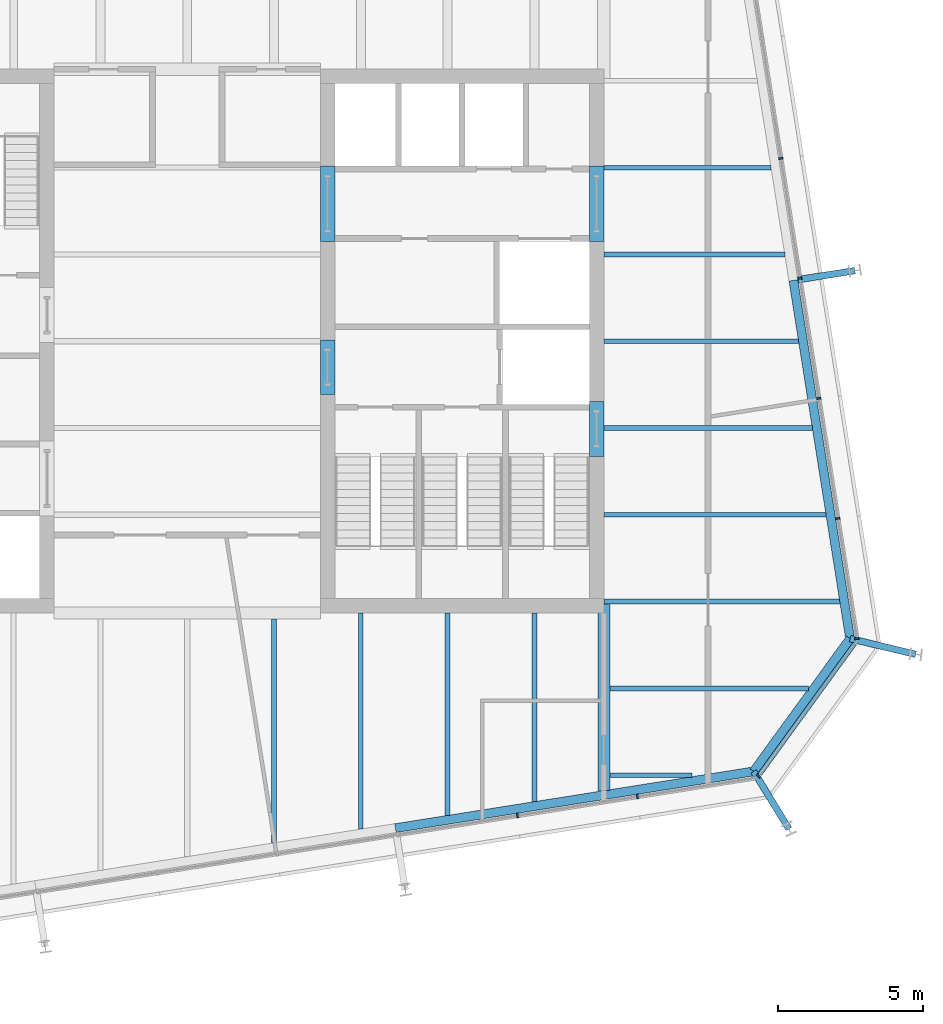
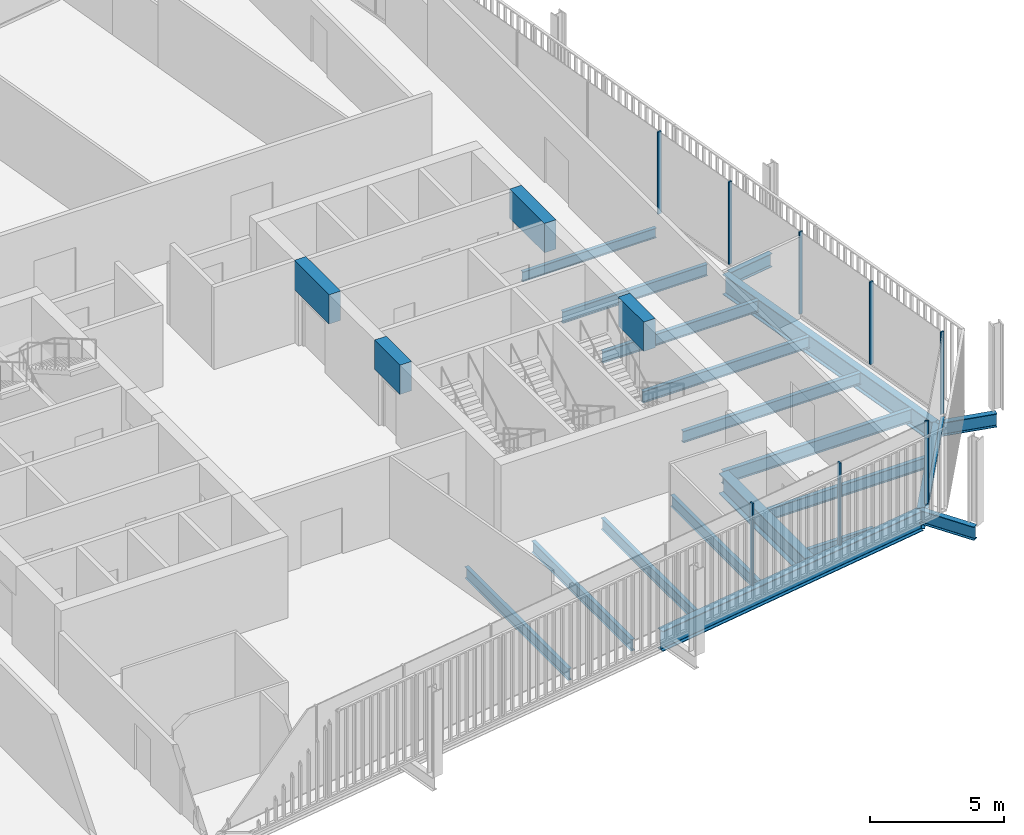
# One storey, part 8 of 20: 23 beams, 9 members, 3 elements without a shape of their own.
"""IFC4 building model written with IfcOpenShell, lengths in metres."""

from ifc_helpers import new_model, si_unit, direction, frame, origin, origin_2d, place, context, subcontext, project, spatial, rectangle, i_section, extrude, material, layer, layer_set, material_profile, profile_set, type_object, element, aggregate, save


model = new_model("IFC4")

# Units and contexts
model_context = context("Model", 3, precision=1e-05, world=origin(), true_north=direction((0.0, 1.0)))
body_context = subcontext(model_context, "Body", "Model", "MODEL_VIEW")
ifc_project = project(units=[si_unit("LENGTHUNIT", "METRE"), si_unit("AREAUNIT", "SQUARE_METRE"), si_unit("VOLUMEUNIT", "CUBIC_METRE"), si_unit("PLANEANGLEUNIT", "RADIAN"), si_unit("MASSUNIT", "GRAM", prefix="KILO")], contexts=[model_context])

# Site, building, storey
site_placement = place(None, origin())
site = spatial("IfcSite", under=ifc_project, at=site_placement, CompositionType="ELEMENT")
building_placement = place(site_placement, origin())
building = spatial("IfcBuilding", under=site, at=building_placement, Name="Millrace Tower", CompositionType="ELEMENT")
storey_placement = place(building_placement, frame((0.0, 0.0, 224.199951171875)))
storey = spatial("IfcBuildingStorey", under=building, at=storey_placement, Name="L51", CompositionType="ELEMENT", Elevation=224.199951171875)

# Curtain wall, members
ifc_material_1 = material(Name="Aluminium and glass", Category="aluminium")
ifc_layer = layer(ifc_material_1, 0.14990234375)
ifc_layer_set = layer_set([ifc_layer], Name="Aluminium and glass")
curtain_wall_type = type_object("IfcCurtainWallType", Name="CW-1 office vision curtain wall", PredefinedType="NOTDEFINED", material=ifc_layer_set)
placement = place(storey_placement, origin())
curtain_wall_1 = element("IfcCurtainWall", 1, at=placement, inside=storey, type_object=curtain_wall_type, Name="Curtain wall D-F02 L51", PredefinedType="NOTDEFINED")
ifc_material_2 = material(Name="Aluminium", Category="aluminium")
ifc_material_profile_1 = material_profile(ifc_material_2, rectangle(XDim=0.06494140625, YDim=0.14990234375, at=origin_2d()))
ifc_profile_set_1 = profile_set([ifc_material_profile_1], Name="Aluminium")
member_type_1 = type_object("IfcMemberType", Name="CW-1 office vision curtain wall mullion", PredefinedType="MULLION", material=ifc_profile_set_1)
member_1_placement = place(storey_placement, frame((11.41259765625, -16.393310546875, 0.14013671875), z_axis=(0.0, 0.0, 1.0), x_axis=(0.987688339511, 0.156434471884, 0.0)))
member_1 = element("IfcMember", 2, at=member_1_placement, type_object=member_type_1, Name="CW1 mullion D-F02.8", PredefinedType="MULLION", context=body_context, shape_type="SweptSolid", body=[
    extrude(rectangle(XDim=0.06494140625, YDim=0.14990234375, at=origin_2d()), origin(), (0.0, 0.0, 1.0), 3.760009765625),
])
member_2_placement = place(storey_placement, frame((15.560791015625, -15.736328125, 0.14013671875), z_axis=(0.0, 0.0, 1.0), x_axis=(0.987688339511, 0.156434471884, 0.0)))
member_2 = element("IfcMember", 3, at=member_2_placement, type_object=member_type_1, Name="CW1 mullion D-F02.9", PredefinedType="MULLION", context=body_context, shape_type="SweptSolid", body=[
    extrude(rectangle(XDim=0.06494140625, YDim=0.14990234375, at=origin_2d()), origin(), (0.0, 0.0, 1.0), 3.760009765625),
])
aggregate(curtain_wall_1, [member_1, member_2])

# Curtain wall, member
curtain_wall_2 = element("IfcCurtainWall", 4, at=placement, inside=storey, type_object=curtain_wall_type, Name="Curtain wall D-F03 L51", PredefinedType="NOTDEFINED")
member_3_placement = place(storey_placement, frame((19.7451171875, -15.028076171875, 0.14013671875), z_axis=(0.0, 0.0, 1.0), x_axis=(0.587785305991, 0.809016955361, 0.0)))
member_3 = element("IfcMember", 5, at=member_3_placement, type_object=member_type_1, Name="CW1 mullion D-F03.1", PredefinedType="MULLION", context=body_context, shape_type="SweptSolid", body=[
    extrude(rectangle(XDim=0.06494140625, YDim=0.14990234375, at=origin_2d()), origin(), (0.0, 0.0, 1.0), 3.760009765625),
])

# Curtain wall, members
curtain_wall_3 = element("IfcCurtainWall", 6, at=placement, inside=storey, type_object=curtain_wall_type, Name="Curtain wall D-F04 L51", PredefinedType="NOTDEFINED")
member_4_placement = place(storey_placement, frame((23.142333984375, -10.275390625, 0.14013671875), z_axis=(0.0, 0.0, 1.0), x_axis=(-0.156434471884, 0.987688339511, 0.0)))
member_4 = element("IfcMember", 7, at=member_4_placement, type_object=member_type_1, Name="CW1 mullion D-F04.1", PredefinedType="MULLION", context=body_context, shape_type="SweptSolid", body=[
    extrude(rectangle(XDim=0.06494140625, YDim=0.14990234375, at=origin_2d()), origin(), (0.0, 0.0, 1.0), 3.760009765625),
])
member_5_placement = place(storey_placement, frame((22.4853515625, -6.127197265625, 0.14013671875), z_axis=(0.0, 0.0, 1.0), x_axis=(-0.156434471884, 0.987688339511, 0.0)))
member_5 = element("IfcMember", 8, at=member_5_placement, type_object=member_type_1, Name="CW1 mullion D-F04.2", PredefinedType="MULLION", context=body_context, shape_type="SweptSolid", body=[
    extrude(rectangle(XDim=0.06494140625, YDim=0.14990234375, at=origin_2d()), origin(), (0.0, 0.0, 1.0), 3.760009765625),
])
member_6_placement = place(storey_placement, frame((21.828369140625, -1.97900390625, 0.14013671875), z_axis=(0.0, 0.0, 1.0), x_axis=(-0.156434471884, 0.987688339511, 0.0)))
member_6 = element("IfcMember", 9, at=member_6_placement, type_object=member_type_1, Name="CW1 mullion D-F04.3", PredefinedType="MULLION", context=body_context, shape_type="SweptSolid", body=[
    extrude(rectangle(XDim=0.06494140625, YDim=0.14990234375, at=origin_2d()), origin(), (0.0, 0.0, 1.0), 3.760009765625),
])
member_7_placement = place(storey_placement, frame((21.17138671875, 2.16943359375, 0.14013671875), z_axis=(0.0, 0.0, 1.0), x_axis=(-0.156434471884, 0.987688339511, 0.0)))
member_7 = element("IfcMember", 10, at=member_7_placement, type_object=member_type_1, Name="CW1 mullion D-F04.4", PredefinedType="MULLION", context=body_context, shape_type="SweptSolid", body=[
    extrude(rectangle(XDim=0.06494140625, YDim=0.14990234375, at=origin_2d()), origin(), (0.0, 0.0, 1.0), 3.760009765625),
])
member_8_placement = place(storey_placement, frame((20.514404296875, 6.317626953125, 0.14013671875), z_axis=(0.0, 0.0, 1.0), x_axis=(-0.156434471884, 0.987688339511, 0.0)))
member_8 = element("IfcMember", 11, at=member_8_placement, type_object=member_type_1, Name="CW1 mullion D-F04.5", PredefinedType="MULLION", context=body_context, shape_type="SweptSolid", body=[
    extrude(rectangle(XDim=0.06494140625, YDim=0.14990234375, at=origin_2d()), origin(), (0.0, 0.0, 1.0), 3.760009765625),
])
aggregate(curtain_wall_3, [member_4, member_5, member_6, member_7, member_8])

# Member
ifc_material_3 = material(Name="Aluminium", Category="aluminium")
ifc_material_profile_2 = material_profile(ifc_material_3, rectangle(XDim=0.14990234375, YDim=0.139892578125, at=origin_2d()))
ifc_profile_set_2 = profile_set([ifc_material_profile_2], Name="Aluminium")
member_type_2 = type_object("IfcMemberType", Name="CW-1 office vision curtain wall transom", PredefinedType="USERDEFINED", material=ifc_profile_set_2)
member_9_placement = place(storey_placement, frame((19.78466796875, -14.973388671875, 0.070068359375), z_axis=(0.587811213399, 0.808998131891, 0.0), x_axis=(-0.808998131891, 0.587811213399, 0.0)))
member_9 = element("IfcMember", 12, at=member_9_placement, type_object=member_type_2, Name="CW1 transom D-F03.1", ObjectType="TRANSOM", PredefinedType="USERDEFINED", context=body_context, shape_type="SweptSolid", body=[
    extrude(rectangle(XDim=0.14990234375, YDim=0.139892578125, at=origin_2d()), origin(), (0.0, 0.0, 1.0), 5.598388671875),
])

aggregate(curtain_wall_2, [member_3, member_9])

# Beams
ifc_material_4 = material(Name="Concrete C60", Category="concrete")
ifc_material_profile_3 = material_profile(ifc_material_4, rectangle(XDim=0.5, YDim=1.340087890625, at=origin_2d()))
ifc_profile_set_3 = profile_set([ifc_material_profile_3], Name="Concrete C60")
beam_type_1 = type_object("IfcBeamType", Name="Coupling beam 500 x 1340 Concrete C60, 1300 opening", PredefinedType="BEAM", material=ifc_profile_set_3)
beam_1_placement = place(storey_placement, frame((14.14990234375, -2.080078125, 3.070068359375), z_axis=(0.0, -1.0, 0.0), x_axis=(1.0, 0.0, 0.0)))
element("IfcBeam", 13, at=beam_1_placement, inside=storey, type_object=beam_type_1, Name="Coupling beam E L51", PredefinedType="BEAM", context=body_context, shape_type="SweptSolid", body=[
    extrude(rectangle(XDim=0.5, YDim=1.340087890625, at=origin_2d()), origin(), (0.0, 0.0, 1.0), 1.89990234375),
])
beam_2_placement = place(storey_placement, frame((4.85009765625, 0.050048828125, 3.070068359375), z_axis=(0.0, -1.0, 0.0), x_axis=(1.0, 0.0, 0.0)))
element("IfcBeam", 14, at=beam_2_placement, inside=storey, type_object=beam_type_1, Name="Coupling beam E L51", PredefinedType="BEAM", context=body_context, shape_type="SweptSolid", body=[
    extrude(rectangle(XDim=0.5, YDim=1.340087890625, at=origin_2d()), origin(), (0.0, 0.0, 1.0), 1.900146484375),
])
ifc_material_5 = material(Name="Concrete C60", Category="concrete")
ifc_material_profile_4 = material_profile(ifc_material_5, rectangle(XDim=0.5, YDim=1.340087890625, at=origin_2d()))
ifc_profile_set_4 = profile_set([ifc_material_profile_4], Name="Concrete C60")
beam_type_2 = type_object("IfcBeamType", Name="Coupling beam 500 x 1340 Concrete C60, 2000 opening", PredefinedType="BEAM", material=ifc_profile_set_4)
for number, where, z_axis, x_axis, name in (
    (15, (14.14990234375, 6.050048828125, 3.070068359375), (0.0, -1.0, 0.0), (1.0, 0.0, 0.0), "Coupling beam E L51"),
    (16, (4.85009765625, 6.050048828125, 3.070068359375), (0.0, -1.0, 0.0), (1.0, 0.0, 0.0), "Coupling beam E L51"),
):
    element("IfcBeam", number, at=place(storey_placement, frame(where, z_axis=z_axis, x_axis=x_axis)), inside=storey, type_object=beam_type_2, Name=name, PredefinedType="BEAM", context=body_context, shape_type="SweptSolid", body=[
        extrude(rectangle(XDim=0.5, YDim=1.340087890625, at=origin_2d()), origin(), (0.0, 0.0, 1.0), 2.60009765625),
    ])
ifc_material_6 = material(Name="Steel ASTM A992 Grade 50", Category="steel")
ifc_material_profile_5 = material_profile(ifc_material_6, i_section(OverallWidth=0.15234375, OverallDepth=0.449462890625, WebThickness=0.007568359375, FlangeThickness=0.0107421875, FilletRadius=0.01025390625, at=origin_2d()))
ifc_profile_set_5 = profile_set([ifc_material_profile_5], Name="Steel ASTM A992 Grade 50")
beam_type_3 = type_object("IfcBeamType", Name="Floor beam W18x35", PredefinedType="JOIST", material=ifc_profile_set_5)
beam_3_placement = place(storey_placement, frame((14.39990234375, 6.0, -0.384765625), z_axis=(1.0, 0.0, 0.0), x_axis=(0.0, 1.0, 0.0)))
element("IfcBeam", 17, at=beam_3_placement, inside=storey, type_object=beam_type_3, Name="BM-D-L51-S1-S022", PredefinedType="JOIST", context=body_context, shape_type="SweptSolid", body=[
    extrude(i_section(OverallWidth=0.15234375, OverallDepth=0.449462890625, WebThickness=0.007568359375, FlangeThickness=0.0107421875, FilletRadius=0.01025390625, at=origin_2d()), origin(), (0.0, 0.0, 1.0), 5.777587890625),
])
beam_4_placement = place(storey_placement, frame((14.609619140625, -15.0, -0.384765625), z_axis=(1.0, 0.0, 0.0), x_axis=(0.0, 1.0, 0.0)))
element("IfcBeam", 18, at=beam_4_placement, inside=storey, type_object=beam_type_3, Name="BM-D-L51-S1-S003", PredefinedType="JOIST", context=body_context, shape_type="SweptSolid", body=[
    extrude(i_section(OverallWidth=0.15234375, OverallDepth=0.449462890625, WebThickness=0.007568359375, FlangeThickness=0.0107421875, FilletRadius=0.01025390625, at=origin_2d()), origin(), (0.0, 0.0, 1.0), 2.839599609375),
])
ifc_material_7 = material(Name="Steel ASTM A992 Grade 50", Category="steel")
ifc_material_profile_6 = material_profile(ifc_material_7, i_section(OverallWidth=0.1650390625, OverallDepth=0.52587890625, WebThickness=0.0087890625, FlangeThickness=0.011474609375, FilletRadius=0.0126953125, at=origin_2d()))
ifc_profile_set_6 = profile_set([ifc_material_profile_6], Name="Steel ASTM A992 Grade 50")
beam_type_4 = type_object("IfcBeamType", Name="Floor beam W21x44", PredefinedType="JOIST", material=ifc_profile_set_6)
beam_5_placement = place(storey_placement, frame((14.609619140625, -12.0, -0.4228515625), z_axis=(1.0, 0.0, 0.0), x_axis=(0.0, 1.0, 0.0)))
element("IfcBeam", 19, at=beam_5_placement, inside=storey, type_object=beam_type_4, Name="BM-D-L51-S1-S005", PredefinedType="JOIST", context=body_context, shape_type="SweptSolid", body=[
    extrude(i_section(OverallWidth=0.1650390625, OverallDepth=0.52587890625, WebThickness=0.0087890625, FlangeThickness=0.011474609375, FilletRadius=0.0126953125, at=origin_2d()), origin(), (0.0, 0.0, 1.0), 6.86279296875),
])
beam_6_placement = place(storey_placement, frame((14.39990234375, -6.0, -0.4228515625), z_axis=(1.0, 0.0, 0.0), x_axis=(0.0, 1.0, 0.0)))
element("IfcBeam", 20, at=beam_6_placement, inside=storey, type_object=beam_type_4, Name="BM-D-L51-S1-S010", PredefinedType="JOIST", context=body_context, shape_type="SweptSolid", body=[
    extrude(i_section(OverallWidth=0.1650390625, OverallDepth=0.52587890625, WebThickness=0.0087890625, FlangeThickness=0.011474609375, FilletRadius=0.0126953125, at=origin_2d()), origin(), (0.0, 0.0, 1.0), 7.67822265625),
])
beam_7_placement = place(storey_placement, frame((14.39990234375, -3.0, -0.4228515625), z_axis=(1.0, 0.0, 0.0), x_axis=(0.0, 1.0, 0.0)))
element("IfcBeam", 21, at=beam_7_placement, inside=storey, type_object=beam_type_4, Name="BM-D-L51-S1-S013", PredefinedType="JOIST", context=body_context, shape_type="SweptSolid", body=[
    extrude(i_section(OverallWidth=0.1650390625, OverallDepth=0.52587890625, WebThickness=0.0087890625, FlangeThickness=0.011474609375, FilletRadius=0.0126953125, at=origin_2d()), origin(), (0.0, 0.0, 1.0), 7.203125),
])
beam_8_placement = place(storey_placement, frame((14.39990234375, 0.0, -0.4228515625), z_axis=(1.0, 0.0, 0.0), x_axis=(0.0, 1.0, 0.0)))
element("IfcBeam", 22, at=beam_8_placement, inside=storey, type_object=beam_type_4, Name="BM-D-L51-S1-S016", PredefinedType="JOIST", context=body_context, shape_type="SweptSolid", body=[
    extrude(i_section(OverallWidth=0.1650390625, OverallDepth=0.52587890625, WebThickness=0.0087890625, FlangeThickness=0.011474609375, FilletRadius=0.0126953125, at=origin_2d()), origin(), (0.0, 0.0, 1.0), 6.72802734375),
])
beam_9_placement = place(storey_placement, frame((14.39990234375, 3.0, -0.4228515625), z_axis=(1.0, 0.0, 0.0), x_axis=(0.0, 1.0, 0.0)))
element("IfcBeam", 23, at=beam_9_placement, inside=storey, type_object=beam_type_4, Name="BM-D-L51-S1-S019", PredefinedType="JOIST", context=body_context, shape_type="SweptSolid", body=[
    extrude(i_section(OverallWidth=0.1650390625, OverallDepth=0.52587890625, WebThickness=0.0087890625, FlangeThickness=0.011474609375, FilletRadius=0.0126953125, at=origin_2d()), origin(), (0.0, 0.0, 1.0), 6.252685546875),
])
beam_10_placement = place(storey_placement, frame((3.0, -17.338623046875, -0.4228515625), z_axis=(0.0, 1.0, 0.0), x_axis=(-1.0, 0.0, 0.0)))
element("IfcBeam", 24, at=beam_10_placement, inside=storey, type_object=beam_type_4, Name="BM-D-L51-S1-S047", PredefinedType="JOIST", context=body_context, shape_type="SweptSolid", body=[
    extrude(i_section(OverallWidth=0.1650390625, OverallDepth=0.52587890625, WebThickness=0.0087890625, FlangeThickness=0.011474609375, FilletRadius=0.0126953125, at=origin_2d()), origin(), (0.0, 0.0, 1.0), 7.72900390625),
])
beam_11_placement = place(storey_placement, frame((6.0, -16.863525390625, -0.4228515625), z_axis=(0.0, 1.0, 0.0), x_axis=(-1.0, 0.0, 0.0)))
element("IfcBeam", 25, at=beam_11_placement, inside=storey, type_object=beam_type_4, Name="BM-D-L51-S1-S049", PredefinedType="JOIST", context=body_context, shape_type="SweptSolid", body=[
    extrude(i_section(OverallWidth=0.1650390625, OverallDepth=0.52587890625, WebThickness=0.0087890625, FlangeThickness=0.011474609375, FilletRadius=0.0126953125, at=origin_2d()), origin(), (0.0, 0.0, 1.0), 7.463623046875),
])
beam_12_placement = place(storey_placement, frame((9.0, -16.38818359375, -0.4228515625), z_axis=(0.0, 1.0, 0.0), x_axis=(-1.0, 0.0, 0.0)))
element("IfcBeam", 26, at=beam_12_placement, inside=storey, type_object=beam_type_4, Name="BM-D-L51-S1-S051", PredefinedType="JOIST", context=body_context, shape_type="SweptSolid", body=[
    extrude(i_section(OverallWidth=0.1650390625, OverallDepth=0.52587890625, WebThickness=0.0087890625, FlangeThickness=0.011474609375, FilletRadius=0.0126953125, at=origin_2d()), origin(), (0.0, 0.0, 1.0), 6.98828125),
])
beam_13_placement = place(storey_placement, frame((12.0, -15.9130859375, -0.4228515625), z_axis=(0.0, 1.0, 0.0), x_axis=(-1.0, 0.0, 0.0)))
element("IfcBeam", 27, at=beam_13_placement, inside=storey, type_object=beam_type_4, Name="BM-D-L51-S1-S053", PredefinedType="JOIST", context=body_context, shape_type="SweptSolid", body=[
    extrude(i_section(OverallWidth=0.1650390625, OverallDepth=0.52587890625, WebThickness=0.0087890625, FlangeThickness=0.011474609375, FilletRadius=0.0126953125, at=origin_2d()), origin(), (0.0, 0.0, 1.0), 6.51318359375),
])
ifc_material_8 = material(Name="Steel ASTM A992 Grade 50", Category="steel")
ifc_material_profile_7 = material_profile(ifc_material_8, i_section(OverallWidth=0.177978515625, OverallDepth=0.599365234375, WebThickness=0.010009765625, FlangeThickness=0.012939453125, FilletRadius=0.012939453125, at=origin_2d()))
ifc_profile_set_7 = profile_set([ifc_material_profile_7], Name="Steel ASTM A992 Grade 50")
beam_type_5 = type_object("IfcBeamType", Name="Floor beam W24x55", PredefinedType="JOIST", material=ifc_profile_set_7)
beam_14_placement = place(storey_placement, frame((14.39990234375, -9.0, -0.459716796875), z_axis=(1.0, 0.0, 0.0), x_axis=(0.0, 1.0, 0.0)))
element("IfcBeam", 28, at=beam_14_placement, inside=storey, type_object=beam_type_5, Name="BM-D-L51-S1-S007", PredefinedType="JOIST", context=body_context, shape_type="SweptSolid", body=[
    extrude(i_section(OverallWidth=0.177978515625, OverallDepth=0.599365234375, WebThickness=0.010009765625, FlangeThickness=0.012939453125, FilletRadius=0.012939453125, at=origin_2d()), origin(), (0.0, 0.0, 1.0), 8.1533203125),
])
ifc_material_9 = material(Name="Steel ASTM A992 Grade 50", Category="steel")
ifc_material_profile_8 = material_profile(ifc_material_9, i_section(OverallWidth=0.419189453125, OverallDepth=0.927001953125, WebThickness=0.019287109375, FlangeThickness=0.031982421875, FilletRadius=0.024169921875, at=origin_2d()))
ifc_profile_set_8 = profile_set([ifc_material_profile_8], Name="Steel ASTM A992 Grade 50")
beam_type_6 = type_object("IfcBeamType", Name="Girder short span W36x231", PredefinedType="BEAM", material=ifc_profile_set_8)
beam_15_placement = place(storey_placement, frame((14.39990234375, -15.52490234375, -0.62353515625), z_axis=(0.0, 1.0, 0.0), x_axis=(-1.0, 0.0, 0.0)))
element("IfcBeam", 29, at=beam_15_placement, inside=storey, type_object=beam_type_6, Name="BM-D-L51-S1-G057", PredefinedType="BEAM", context=body_context, shape_type="SweptSolid", body=[
    extrude(i_section(OverallWidth=0.419189453125, OverallDepth=0.927001953125, WebThickness=0.019287109375, FlangeThickness=0.031982421875, FilletRadius=0.024169921875, at=origin_2d()), origin(), (0.0, 0.0, 1.0), 6.432861328125),
])
ifc_material_10 = material(Name="Steel ASTM A992 Grade 50", Category="steel")
ifc_material_profile_9 = material_profile(ifc_material_10, i_section(OverallWidth=0.23046875, OverallDepth=0.6171875, WebThickness=0.01318359375, FlangeThickness=0.022216796875, FilletRadius=0.012939453125, at=origin_2d()))
ifc_profile_set_9 = profile_set([ifc_material_profile_9], Name="Steel ASTM A992 Grade 50")
beam_type_7 = type_object("IfcBeamType", Name="Link beam W24x94", PredefinedType="BEAM", material=ifc_profile_set_9)
beam_16_placement = place(storey_placement, frame((21.102294921875, 2.12548828125, -0.468505859375), z_axis=(0.987678691416, 0.156495375404, 0.0), x_axis=(-0.156495375404, 0.987678691416, 0.0)))
element("IfcBeam", 30, at=beam_16_placement, inside=storey, type_object=beam_type_7, Name="LNK-D-L51-S1-11", PredefinedType="BEAM", context=body_context, shape_type="SweptSolid", body=[
    extrude(i_section(OverallWidth=0.23046875, OverallDepth=0.6171875, WebThickness=0.01318359375, FlangeThickness=0.022216796875, FilletRadius=0.012939453125, at=origin_2d()), origin(), (0.0, 0.0, 1.0), 2.0),
])
beam_17_placement = place(storey_placement, frame((22.91162109375, -10.280517578125, -0.468505859375), z_axis=(0.972373041068, -0.233432364948, 0.0), x_axis=(0.233432364948, 0.972373041068, 0.0)))
element("IfcBeam", 31, at=beam_17_placement, inside=storey, type_object=beam_type_7, Name="LNK-D-L51-S1-12", PredefinedType="BEAM", context=body_context, shape_type="SweptSolid", body=[
    extrude(i_section(OverallWidth=0.23046875, OverallDepth=0.6171875, WebThickness=0.01318359375, FlangeThickness=0.022216796875, FilletRadius=0.012939453125, at=origin_2d()), origin(), (0.0, 0.0, 1.0), 2.331298828125),
])
beam_18_placement = place(storey_placement, frame((19.578369140625, -14.868408203125, -0.468505859375), z_axis=(0.522512938711, -0.852631355792, 0.0), x_axis=(0.852631355792, 0.522512938711, 0.0)))
element("IfcBeam", 32, at=beam_18_placement, inside=storey, type_object=beam_type_7, Name="LNK-D-L51-S1-13", PredefinedType="BEAM", context=body_context, shape_type="SweptSolid", body=[
    extrude(i_section(OverallWidth=0.23046875, OverallDepth=0.6171875, WebThickness=0.01318359375, FlangeThickness=0.022216796875, FilletRadius=0.012939453125, at=origin_2d()), origin(), (0.0, 0.0, 1.0), 2.3310546875),
])
ifc_material_11 = material(Name="Steel ASTM A992 Grade 50", Category="steel")
ifc_material_profile_10 = material_profile(ifc_material_11, i_section(OverallWidth=0.307373046875, OverallDepth=0.927001953125, WebThickness=0.01953125, FlangeThickness=0.031982421875, FilletRadius=0.01904296875, at=origin_2d()))
ifc_profile_set_10 = profile_set([ifc_material_profile_10], Name="Steel ASTM A992 Grade 50")
beam_type_8 = type_object("IfcBeamType", Name="Ring beam medium span W36x194", PredefinedType="SPANDREL", material=ifc_profile_set_10)
for number, where, z_axis, x_axis, name in (
    (33, (20.95068359375, 2.1015625, -0.62353515625), (0.156419577072, -0.987690698503, 0.0), (0.987690698503, 0.156419577072, 0.0), "RNG-D-L51-S1-11"),
    (34, (19.578369140625, -14.868408203125, -0.62353515625), (-0.987687689625, -0.156438575049, 0.0), (0.156438575049, -0.987687689625, 0.0), "RNG-D-L51-S1-13"),
):
    element("IfcBeam", number, at=place(storey_placement, frame(where, z_axis=z_axis, x_axis=x_axis)), inside=storey, type_object=beam_type_8, Name=name, PredefinedType="SPANDREL", context=body_context, shape_type="SweptSolid", body=[
        extrude(i_section(OverallWidth=0.307373046875, OverallDepth=0.927001953125, WebThickness=0.01953125, FlangeThickness=0.031982421875, FilletRadius=0.01904296875, at=origin_2d()), origin(), (0.0, 0.0, 1.0), 12.536376953125),
    ])
ifc_material_12 = material(Name="Steel ASTM A992 Grade 50", Category="steel")
ifc_material_profile_11 = material_profile(ifc_material_12, i_section(OverallWidth=0.307373046875, OverallDepth=0.927001953125, WebThickness=0.01953125, FlangeThickness=0.031982421875, FilletRadius=0.01904296875, at=origin_2d()))
ifc_profile_set_11 = profile_set([ifc_material_profile_11], Name="Steel ASTM A992 Grade 50")
beam_type_9 = type_object("IfcBeamType", Name="Ring beam short span W36x194", PredefinedType="SPANDREL", material=ifc_profile_set_11)
beam_19_placement = place(storey_placement, frame((22.91162109375, -10.280517578125, -0.62353515625), z_axis=(-0.587779977844, -0.80902082646, 0.0), x_axis=(0.80902082646, -0.587779977844, 0.0)))
element("IfcBeam", 35, at=beam_19_placement, inside=storey, type_object=beam_type_9, Name="RNG-D-L51-S1-12", PredefinedType="SPANDREL", context=body_context, shape_type="SweptSolid", body=[
    extrude(i_section(OverallWidth=0.307373046875, OverallDepth=0.927001953125, WebThickness=0.01953125, FlangeThickness=0.031982421875, FilletRadius=0.01904296875, at=origin_2d()), origin(), (0.0, 0.0, 1.0), 5.6708984375),
])

save(model, "model.ifc")
